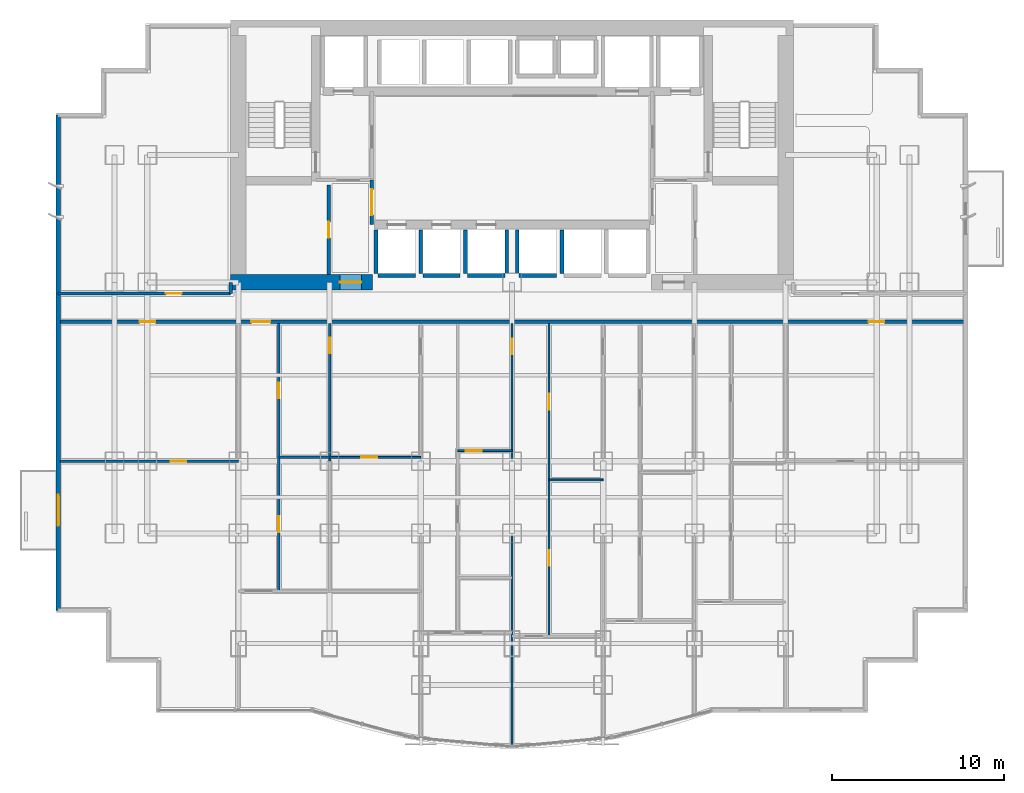
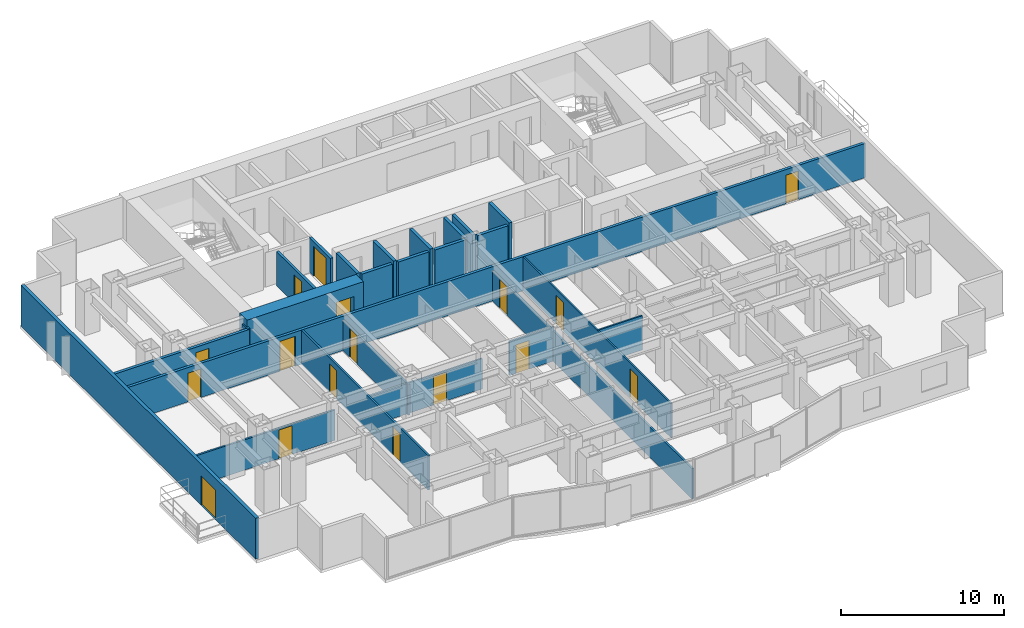
# One storey, part 5 of 10: 26 walls, 17 doors, 17 openings.
"""IFC4 building model written with IfcOpenShell, lengths in metres."""

import ifcopenshell
import ifcopenshell.guid

model = None  # the IFC model being written
_history = None  # IfcOwnerHistory: only IFC2X3 demands one
_inside = {}  # id of a spatial element -> (the spatial element, [elements in it])
_under = {}  # id of a project, library or spatial element -> (it, [spatial elements below it])
_declared = {}  # id of a project -> (the project, [libraries it declares])
_typed = {}  # id of a type object -> (the type object, [elements of that type])
_made_of = {}  # id of a material, layer set ... -> (it, [elements and type objects made of it])


def new_model(schema):
    """Start an empty IFC model of exactly this schema.

    Asked for "IFC4X3", IfcOpenShell would pick the latest addendum, in which some entities
    have other attributes; the version numbers below select the first issue.
    IFC2X3 requires an IfcOwnerHistory on every rooted entity: one is made here for all.
    """
    global model, _history
    if schema == "IFC4X3":
        model = ifcopenshell.file(schema_version=(4, 3, 0, 0))
    else:
        model = ifcopenshell.file(schema=schema)
    _inside.clear()
    _under.clear()
    _declared.clear()
    _typed.clear()
    _made_of.clear()
    _history = None
    if model.schema == "IFC2X3":
        org = make("IfcOrganization", Name="unknown")
        user = make(
            "IfcPersonAndOrganization",
            ThePerson=make("IfcPerson", FamilyName="unknown"),
            TheOrganization=org,
        )
        app = make(
            "IfcApplication",
            ApplicationDeveloper=org,
            Version="unknown",
            ApplicationFullName="unknown",
            ApplicationIdentifier="unknown",
        )
        _history = make(
            "IfcOwnerHistory",
            OwningUser=user,
            OwningApplication=app,
            ChangeAction="ADDED",
            CreationDate=0,
        )
    return model


def make(cls, **values):
    """One entity of the class cls with the attributes given. An attribute that is None is left unset."""
    return model.create_entity(
        cls, **{name: value for name, value in values.items() if value is not None}
    )


def rooted(cls, **values):
    """An entity with a GlobalId (a new one), such as an element, a storey or a relation."""
    return make(cls, GlobalId=ifcopenshell.guid.new(), OwnerHistory=_history, **values)


def si_unit(unit_type, name, prefix=None):
    """IfcSIUnit, for example si_unit("LENGTHUNIT", "METRE", prefix="MILLI")."""
    return make("IfcSIUnit", UnitType=unit_type, Prefix=prefix, Name=name)


def assignment(units):
    """IfcUnitAssignment: the units of a project."""
    return None if units is None else make("IfcUnitAssignment", Units=units)


def point(xyz):
    """IfcCartesianPoint."""
    return None if xyz is None else make("IfcCartesianPoint", Coordinates=xyz)


def direction(xyz):
    """IfcDirection."""
    return None if xyz is None else make("IfcDirection", DirectionRatios=xyz)


def frame(location, z_axis=None, x_axis=None):
    """IfcAxis2Placement3D, a coordinate frame: its origin and axes. An axis left out is left unset."""
    return make(
        "IfcAxis2Placement3D",
        Location=point(location),
        Axis=direction(z_axis),
        RefDirection=direction(x_axis),
    )


def frame_2d(location, x_axis=None):
    """IfcAxis2Placement2D, a coordinate frame in the plane: its origin and x axis."""
    return make(
        "IfcAxis2Placement2D", Location=point(location), RefDirection=direction(x_axis)
    )


def origin():
    """The frame at (0, 0, 0) with its axes left unset."""
    return frame((0.0, 0.0, 0.0))


def place(relative_to, where):
    """IfcLocalPlacement: puts the frame where relative to a parent placement (None: the world)."""
    return make(
        "IfcLocalPlacement", PlacementRelTo=relative_to, RelativePlacement=where
    )


def context(
    kind, dimensions, precision=None, world=None, true_north=None, identifier=None
):
    """IfcGeometricRepresentationContext, for example the 3D "Model" context."""
    return make(
        "IfcGeometricRepresentationContext",
        ContextIdentifier=identifier,
        ContextType=kind,
        CoordinateSpaceDimension=dimensions,
        Precision=precision,
        WorldCoordinateSystem=world,
        TrueNorth=true_north,
    )


def subcontext(parent, identifier, kind, view, scale=None):
    """IfcGeometricRepresentationSubContext, for example "Body" below "Model"."""
    return make(
        "IfcGeometricRepresentationSubContext",
        ContextIdentifier=identifier,
        ContextType=kind,
        ParentContext=parent,
        TargetScale=scale,
        TargetView=view,
    )


def project(units=None, contexts=None):
    """IfcProject with its units and contexts."""
    return rooted(
        "IfcProject",
        Name="project",
        RepresentationContexts=contexts,
        UnitsInContext=assignment(units),
    )


def spatial(cls, under=None, at=None, **own):
    """A site, building, storey or space (cls), placed at a placement, below another one or the project."""
    s = rooted(cls, ObjectPlacement=at, **own)
    if under is not None:
        _under.setdefault(under.id(), (under, []))[1].append(s)
    return s


def profile(cls, at=None, kind="AREA", **sizes):
    """A parametric profile (cls). Its sizes go by their IFC names, for example OverallWidth=200.0."""
    return make(cls, ProfileType=kind, Position=at, **sizes)


def rectangle(**sizes):
    """IfcRectangleProfileDef."""
    return profile("IfcRectangleProfileDef", **sizes)


def extrude(swept, where, along, depth):
    """IfcExtrudedAreaSolid: the profile swept, set in the frame where, extruded along a direction by depth."""
    return make(
        "IfcExtrudedAreaSolid",
        SweptArea=swept,
        Position=where,
        ExtrudedDirection=direction(along),
        Depth=depth,
    )


def shape(context_of_items, identifier, shape_type, items):
    """IfcShapeRepresentation: the items that make up one representation, for example the "Body"."""
    return make(
        "IfcShapeRepresentation",
        ContextOfItems=context_of_items,
        RepresentationIdentifier=identifier,
        RepresentationType=shape_type,
        Items=items,
    )


def material(Name=None, Category=None):
    """IfcMaterial."""
    return make("IfcMaterial", Name=Name, Category=Category)


def layer(
    of_material, thickness, ventilated=None, Name=None, Category=None, Priority=None
):
    """IfcMaterialLayer: one layer of a wall or slab, of a material (None: an air gap)."""
    return make(
        "IfcMaterialLayer",
        Material=of_material,
        LayerThickness=thickness,
        IsVentilated=ventilated,
        Name=Name,
        Category=Category,
        Priority=Priority,
    )


def layer_set(layers, Name=None):
    """IfcMaterialLayerSet."""
    return make("IfcMaterialLayerSet", MaterialLayers=layers, LayerSetName=Name)


def made_of(thing, what):
    """Note that an element or type object is made of a material, layer set ...; save() writes the relation."""
    if what is not None:
        _made_of.setdefault(what.id(), (what, []))[1].append(thing)
    return thing


def type_object(cls, material=None, **own):
    """A type object (cls), such as IfcWallType, which elements share."""
    return made_of(rooted(cls, **own), material)


def element(
    cls,
    number,
    at=None,
    inside=None,
    cuts=None,
    type_object=None,
    material=None,
    context=None,
    identifier="Body",
    shape_type=None,
    held_by="IfcProductDefinitionShape",
    body=None,
    shapes=None,
    **own,
):
    """One element of the class cls, such as IfcWall. Its Tag is "e" and its number.

    at: its placement. inside: the storey or other place that contains it. cuts: it is an
    opening in that element (IfcRelVoidsElement). A single representation is given by context,
    identifier, shape_type and body (its items); several are given by shapes. held_by: the class
    of the entity that holds the representations. save() writes the other relations.
    """
    e = rooted(cls, Tag="e%d" % number, ObjectPlacement=at, **own)
    if body is not None:
        shapes = [shape(context, identifier, shape_type, body)]
    if shapes is not None:
        e.Representation = make(held_by, Representations=shapes)
    if inside is not None:
        _inside.setdefault(inside.id(), (inside, []))[1].append(e)
    if cuts is not None:
        rooted(
            "IfcRelVoidsElement", RelatingBuildingElement=cuts, RelatedOpeningElement=e
        )
    if type_object is not None:
        _typed.setdefault(type_object.id(), (type_object, []))[1].append(e)
    return made_of(e, material)


def fill(opening, filler):
    """IfcRelFillsElement: the door or window that sits in an opening."""
    return rooted(
        "IfcRelFillsElement",
        RelatingOpeningElement=opening,
        RelatedBuildingElement=filler,
    )


def aggregate(whole, parts):
    """IfcRelAggregates: a whole, such as a stair, and the parts it consists of."""
    return rooted("IfcRelAggregates", RelatingObject=whole, RelatedObjects=parts)


def save(model, path):
    """Write the relations noted so far, then the file.

    IfcRelAggregates (storeys below a building ...), IfcRelContainedInSpatialStructure (elements
    in a storey), IfcRelDefinesByType, IfcRelAssociatesMaterial and IfcRelDeclares: one each for
    every whole, place, type object, material and project.
    """
    for whole, parts in _under.values():
        aggregate(whole, parts)
    for where, things in _inside.values():
        rooted(
            "IfcRelContainedInSpatialStructure",
            RelatedElements=things,
            RelatingStructure=where,
        )
    for kind, things in _typed.values():
        rooted("IfcRelDefinesByType", RelatedObjects=things, RelatingType=kind)
    for what, things in _made_of.values():
        rooted("IfcRelAssociatesMaterial", RelatedObjects=things, RelatingMaterial=what)
    for by, libraries in _declared.values():
        rooted("IfcRelDeclares", RelatingContext=by, RelatedDefinitions=libraries)
    model.write(path)


model = new_model("IFC4")

# Units and contexts
model_context = context("Model", 3, precision=1e-05, world=origin(), true_north=direction((0.0, 1.0)))
body_context = subcontext(model_context, "Body", "Model", "MODEL_VIEW")
ifc_project = project(units=[si_unit("LENGTHUNIT", "METRE"), si_unit("AREAUNIT", "SQUARE_METRE"), si_unit("VOLUMEUNIT", "CUBIC_METRE"), si_unit("PLANEANGLEUNIT", "RADIAN"), si_unit("MASSUNIT", "GRAM", prefix="KILO")], contexts=[model_context])

# Site, building, storey
site_placement = place(None, origin())
site = spatial("IfcSite", under=ifc_project, at=site_placement, CompositionType="ELEMENT")
building_placement = place(site_placement, origin())
building = spatial("IfcBuilding", under=site, at=building_placement, Name="Qianlan Lanfeng Residences", CompositionType="ELEMENT")
storey_placement = place(building_placement, frame((0.0, 0.0, 57.199951171875)))
storey = spatial("IfcBuildingStorey", under=building, at=storey_placement, Name="L15", CompositionType="ELEMENT", Elevation=57.199951171875)

# Wall, opening, door
ifc_material_1 = material(Name="Concrete C70", Category="concrete")
ifc_layer_1 = layer(ifc_material_1, 0.89990234375)
ifc_layer_set_1 = layer_set([ifc_layer_1], Name="Concrete C70")
wall_type_1 = type_object("IfcWallType", Name="CW-RC-900", PredefinedType="SHEAR", material=ifc_layer_set_1)
wall_1_placement = place(storey_placement, frame((10.14990234375, 25.199951171875, 0.0), z_axis=(0.0, 0.0, 1.0), x_axis=(1.0, 0.0, 0.0)))
wall_1 = element("IfcWall", 1, at=wall_1_placement, inside=storey, type_object=wall_type_1, Name="L15 Core Shear Wall SW", PredefinedType="SHEAR", context=body_context, shape_type="SweptSolid", body=[
    extrude(rectangle(XDim=8.25, YDim=0.89990234375, at=frame_2d((4.125, 0.0))), origin(), (0.0, 0.0, 1.0), 3.080078125),
])
opening_1_placement = place(wall_1_placement, frame((6.35009765625, 0.0, 0.0)))
opening_1 = element("IfcOpeningElement", 2, at=opening_1_placement, cuts=wall_1, Name="Opening L15-D01", PredefinedType="OPENING", context=body_context, shape_type="SweptSolid", body=[
    extrude(rectangle(XDim=1.25, YDim=2.199951171875, at=frame_2d((0.625, 1.10009765625))), frame((0.0, 0.4599609375, 0.0), z_axis=(0.0, -1.0, 0.0), x_axis=(1.0, 0.0, 0.0)), (0.0, 0.0, 1.0), 0.919921875),
])
ifc_material_2 = material(Name="Painted Galvanised Steel Fire Door", Category="steel")
door_type_1 = type_object("IfcDoorType", Name="DT-FFL", OperationType="NOTDEFINED", PredefinedType="DOOR", material=ifc_material_2)
door_1_placement = place(opening_1_placement, frame((1.25, 0.0, 0.0), z_axis=(0.0, 0.0, 1.0), x_axis=(-1.0, 0.0, 0.0)))
door_1 = element("IfcDoor", 3, at=door_1_placement, inside=storey, type_object=door_type_1, Name="L15 West Core Lobby Smoke Door L15-D01 (DT-FFL)", OperationType="SINGLE_SWING_RIGHT", OverallHeight=2.199951171875, OverallWidth=1.25, PredefinedType="DOOR", context=body_context, shape_type="SweptSolid", body=[
    extrude(rectangle(XDim=1.25, YDim=2.199951171875, at=frame_2d((0.625, 1.10009765625))), frame((0.0, 0.02490234375, 0.0), z_axis=(0.0, -1.0, 0.0), x_axis=(1.0, 0.0, 0.0)), (0.0, 0.0, 1.0), 0.050048828125),
])
fill(opening_1, door_1)

ifc_material_3 = material(Name="Concrete C42", Category="concrete")
ifc_layer_2 = layer(ifc_material_3, 0.239990234375)
ifc_layer_set_2 = layer_set([ifc_layer_2], Name="Concrete C42")
wall_type_2 = type_object("IfcWallType", Name="EW-240", PredefinedType="SOLIDWALL", material=ifc_layer_set_2)
wall_2_placement = place(storey_placement, frame((0.1201171875, 34.929931640625, 0.0), z_axis=(0.0, 0.0, 1.0), x_axis=(0.0, -1.0, 0.0)))
wall_2 = element("IfcWall", 4, at=wall_2_placement, inside=storey, type_object=wall_type_2, Name="L15 Terrace/Balcony Access Exterior Wall 21", PredefinedType="SOLIDWALL", context=body_context, shape_type="SweptSolid", body=[
    extrude(rectangle(XDim=28.809814453125, YDim=0.239990234375, at=frame_2d((14.40478515625, 0.0))), origin(), (0.0, 0.0, 1.0), 3.080078125),
])
opening_2_placement = place(wall_2_placement, frame((22.080078125, 0.0, 0.0)))
opening_2 = element("IfcOpeningElement", 5, at=opening_2_placement, cuts=wall_2, Name="Opening L15-D-WB-S", PredefinedType="OPENING", context=body_context, shape_type="SweptSolid", body=[
    extrude(rectangle(XDim=1.800048828125, YDim=2.199951171875, at=frame_2d((0.89990234375, 1.10009765625))), frame((0.0, 0.1298828125, 0.0), z_axis=(0.0, -1.0, 0.0), x_axis=(1.0, 0.0, 0.0)), (0.0, 0.0, 1.0), 0.260009765625),
])
ifc_material_4 = material(Name="Anodised Bronze Aluminium Framed Glass", Category="aluminium")
door_type_2 = type_object("IfcDoorType", Name="DT-BAL1", OperationType="NOTDEFINED", PredefinedType="DOOR", material=ifc_material_4)
door_2_placement = place(opening_2_placement, frame((1.800048828125, 0.0, 0.0), z_axis=(0.0, 0.0, 1.0), x_axis=(-1.0, 0.0, 0.0)))
door_2 = element("IfcDoor", 6, at=door_2_placement, inside=storey, type_object=door_type_2, Name="L15 Exterior Access Door WB-S", OperationType="DOUBLE_DOOR_SLIDING", OverallHeight=2.199951171875, OverallWidth=1.800048828125, PredefinedType="DOOR", context=body_context, shape_type="SweptSolid", body=[
    extrude(rectangle(XDim=1.800048828125, YDim=2.199951171875, at=frame_2d((0.89990234375, 1.10009765625))), frame((0.0, 0.02490234375, 0.0), z_axis=(0.0, -1.0, 0.0), x_axis=(1.0, 0.0, 0.0)), (0.0, 0.0, 1.0), 0.050048828125),
])
fill(opening_2, door_2)

ifc_material_5 = material(Name="Demountable Acoustic Framing Partition 110 mm")
ifc_layer_3 = layer(ifc_material_5, 0.110107421875)
ifc_layer_set_3 = layer_set([ifc_layer_3], Name="Demountable Acoustic Framing Partition 110 mm")
wall_type_3 = type_object("IfcWallType", Name="PW-110", PredefinedType="MOVABLE", material=ifc_layer_set_3)
wall_3_placement = place(storey_placement, frame((15.89990234375, 15.02392578125, 0.0), z_axis=(0.0, 0.0, 1.0), x_axis=(1.0, 0.0, 0.0)))
wall_3 = element("IfcWall", 7, at=wall_3_placement, inside=storey, type_object=wall_type_3, Name="L15 U01 Study Split", PredefinedType="MOVABLE", context=body_context, shape_type="SweptSolid", body=[
    extrude(rectangle(XDim=5.300048828125, YDim=0.110107421875, at=frame_2d((2.64990234375, 0.0))), origin(), (0.0, 0.0, 1.0), 2.275146484375),
])
opening_3_placement = place(wall_3_placement, frame((1.840087890625, 0.0, 0.0)))
opening_3 = element("IfcOpeningElement", 8, at=opening_3_placement, cuts=wall_3, Name="Opening L15-D22", PredefinedType="OPENING", context=body_context, shape_type="SweptSolid", body=[
    extrude(rectangle(XDim=0.919921875, YDim=2.14990234375, at=frame_2d((0.4599609375, 1.074951171875))), frame((0.0, 0.06494140625, 0.0), z_axis=(0.0, -1.0, 0.0), x_axis=(1.0, 0.0, 0.0)), (0.0, 0.0, 1.0), 0.130126953125),
])
ifc_material_6 = material(Name="Glazed Timber Kitchen/Study Door", Category="wood")
door_type_3 = type_object("IfcDoorType", Name="DT-INT", OperationType="NOTDEFINED", PredefinedType="DOOR", material=ifc_material_6)
door_3_placement = place(opening_3_placement, origin())
door_3 = element("IfcDoor", 9, at=door_3_placement, inside=storey, type_object=door_type_3, Name="L15 U01 Study Inner Door L15-D22 (DT-INT)", OperationType="SINGLE_SWING_LEFT", OverallHeight=2.14990234375, OverallWidth=0.919921875, PredefinedType="DOOR", context=body_context, shape_type="SweptSolid", body=[
    extrude(rectangle(XDim=0.919921875, YDim=2.14990234375, at=frame_2d((0.4599609375, 1.074951171875))), frame((0.0, 0.02490234375, 0.0), z_axis=(0.0, -1.0, 0.0), x_axis=(1.0, 0.0, 0.0)), (0.0, 0.0, 1.0), 0.050048828125),
])
fill(opening_3, door_3)

wall_4_placement = place(storey_placement, frame((23.35009765625, 15.4169921875, 0.0), z_axis=(0.0, 0.0, 1.0), x_axis=(1.0, 0.0, 0.0)))
wall_4 = element("IfcWall", 10, at=wall_4_placement, inside=storey, type_object=wall_type_3, Name="L15 U01 Wardrobe Split", PredefinedType="MOVABLE", context=body_context, shape_type="SweptSolid", body=[
    extrude(rectangle(XDim=3.14990234375, YDim=0.110107421875, at=frame_2d((1.574951171875, 0.0))), origin(), (0.0, 0.0, 1.0), 2.570068359375),
])
opening_4_placement = place(wall_4_placement, frame((0.465087890625, 0.0, 0.0)))
opening_4 = element("IfcOpeningElement", 11, at=opening_4_placement, cuts=wall_4, Name="Opening L15-D26", PredefinedType="OPENING", context=body_context, shape_type="SweptSolid", body=[
    extrude(rectangle(XDim=0.919921875, YDim=2.14990234375, at=frame_2d((0.4599609375, 1.074951171875))), frame((0.0, 0.06494140625, 0.0), z_axis=(0.0, -1.0, 0.0), x_axis=(1.0, 0.0, 0.0)), (0.0, 0.0, 1.0), 0.130126953125),
])
door_4_placement = place(opening_4_placement, origin())
door_4 = element("IfcDoor", 12, at=door_4_placement, inside=storey, type_object=door_type_3, Name="L15 U01 Dressing Inner Door L15-D26 (DT-INT)", OperationType="SINGLE_SWING_RIGHT", OverallHeight=2.14990234375, OverallWidth=0.919921875, PredefinedType="DOOR", context=body_context, shape_type="SweptSolid", body=[
    extrude(rectangle(XDim=0.919921875, YDim=2.14990234375, at=frame_2d((0.4599609375, 1.074951171875))), frame((0.0, 0.02490234375, 0.0), z_axis=(0.0, -1.0, 0.0), x_axis=(1.0, 0.0, 0.0)), (0.0, 0.0, 1.0), 0.050048828125),
])
fill(opening_4, door_4)

# Wall, openings, doors
wall_5_placement = place(storey_placement, frame((28.64990234375, 4.634033203125, 0.0), z_axis=(0.0, 0.0, 1.0), x_axis=(0.0, 1.0, 0.0)))
wall_5 = element("IfcWall", 13, at=wall_5_placement, inside=storey, type_object=wall_type_3, Name="L15 U01 Bedroom 3 Hall Wall", PredefinedType="MOVABLE", context=body_context, shape_type="SweptSolid", body=[
    extrude(rectangle(XDim=18.166015625, YDim=0.110107421875, at=frame_2d((9.0830078125, 0.0))), origin(), (0.0, 0.0, 1.0), 2.570068359375),
])
opening_5_placement = place(wall_5_placement, frame((4.08203125, 0.0, 0.0)))
opening_5 = element("IfcOpeningElement", 14, at=opening_5_placement, cuts=wall_5, Name="Opening L15-D28", PredefinedType="OPENING", context=body_context, shape_type="SweptSolid", body=[
    extrude(rectangle(XDim=0.919921875, YDim=2.14990234375, at=frame_2d((0.4599609375, 1.074951171875))), frame((0.0, 0.06494140625, 0.0), z_axis=(0.0, -1.0, 0.0), x_axis=(1.0, 0.0, 0.0)), (0.0, 0.0, 1.0), 0.130126953125),
])
opening_6_placement = place(wall_5_placement, frame((13.1650390625, 0.0, 0.0)))
opening_6 = element("IfcOpeningElement", 15, at=opening_6_placement, cuts=wall_5, Name="Opening L15-D29", PredefinedType="OPENING", context=body_context, shape_type="SweptSolid", body=[
    extrude(rectangle(XDim=0.919921875, YDim=2.14990234375, at=frame_2d((0.4599609375, 1.074951171875))), frame((0.0, 0.06494140625, 0.0), z_axis=(0.0, -1.0, 0.0), x_axis=(1.0, 0.0, 0.0)), (0.0, 0.0, 1.0), 0.130126953125),
])
door_5_placement = place(opening_5_placement, origin())
door_5 = element("IfcDoor", 16, at=door_5_placement, inside=storey, type_object=door_type_3, Name="L15 U01 Utility Door L15-D28 (DT-INT)", OperationType="SINGLE_SWING_LEFT", OverallHeight=2.14990234375, OverallWidth=0.919921875, PredefinedType="DOOR", context=body_context, shape_type="SweptSolid", body=[
    extrude(rectangle(XDim=0.919921875, YDim=2.14990234375, at=frame_2d((0.4599609375, 1.074951171875))), frame((0.0, 0.02490234375, 0.0), z_axis=(0.0, -1.0, 0.0), x_axis=(1.0, 0.0, 0.0)), (0.0, 0.0, 1.0), 0.050048828125),
])
fill(opening_5, door_5)
door_6_placement = place(opening_6_placement, origin())
door_6 = element("IfcDoor", 17, at=door_6_placement, inside=storey, type_object=door_type_3, Name="L15 U01 Specialty Door L15-D29 (DT-INT)", OperationType="SINGLE_SWING_RIGHT", OverallHeight=2.14990234375, OverallWidth=0.919921875, PredefinedType="DOOR", context=body_context, shape_type="SweptSolid", body=[
    extrude(rectangle(XDim=0.919921875, YDim=2.14990234375, at=frame_2d((0.4599609375, 1.074951171875))), frame((0.0, 0.02490234375, 0.0), z_axis=(0.0, -1.0, 0.0), x_axis=(1.0, 0.0, 0.0)), (0.0, 0.0, 1.0), 0.050048828125),
])
fill(opening_6, door_6)

# Wall
wall_6_placement = place(storey_placement, frame((28.64990234375, 13.717041015625, 0.0), z_axis=(0.0, 0.0, 1.0), x_axis=(1.0, 0.0, 0.0)))
element("IfcWall", 18, at=wall_6_placement, inside=storey, type_object=wall_type_3, Name="L15 U01 Specialty Split Wall", PredefinedType="MOVABLE", context=body_context, shape_type="SweptSolid", body=[
    extrude(rectangle(XDim=3.150146484375, YDim=0.110107421875, at=frame_2d((1.5751953125, 0.0))), origin(), (0.0, 0.0, 1.0), 2.570068359375),
])

# Wall, opening, door
ifc_material_7 = material(Name="Moisture-Resistant Gypsum Partition 135 mm")
ifc_layer_4 = layer(ifc_material_7, 0.135009765625)
ifc_layer_set_4 = layer_set([ifc_layer_4], Name="Moisture-Resistant Gypsum Partition 135 mm")
wall_type_4 = type_object("IfcWallType", Name="PW-135", PredefinedType="PARTITIONING", material=ifc_layer_set_4)
wall_7_placement = place(storey_placement, frame((15.89990234375, 14.800048828125, 0.0), z_axis=(0.0, 0.0, 1.0), x_axis=(0.0, 1.0, 0.0)))
wall_7 = element("IfcWall", 19, at=wall_7_placement, inside=storey, type_object=wall_type_4, Name="L15 U01 North Spine Wall", PredefinedType="PARTITIONING", context=body_context, shape_type="SweptSolid", body=[
    extrude(rectangle(XDim=8.0, YDim=0.135009765625, at=frame_2d((4.0, 0.0))), origin(), (0.0, 0.0, 1.0), 2.275146484375),
])
opening_7_placement = place(wall_7_placement, frame((6.264892578125, 0.0, 0.0)))
opening_7 = element("IfcOpeningElement", 20, at=opening_7_placement, cuts=wall_7, Name="Opening L15-D14", PredefinedType="OPENING", context=body_context, shape_type="SweptSolid", body=[
    extrude(rectangle(XDim=0.919921875, YDim=2.14990234375, at=frame_2d((0.4599609375, 1.074951171875))), frame((0.0, 0.07763671875, 0.0), z_axis=(0.0, -1.0, 0.0), x_axis=(1.0, 0.0, 0.0)), (0.0, 0.0, 1.0), 0.155029296875),
])
door_7_placement = place(opening_7_placement, origin())
door_7 = element("IfcDoor", 21, at=door_7_placement, inside=storey, type_object=door_type_3, Name="L15 U01 North Suite Door L15-D14 (DT-INT)", OperationType="SINGLE_SWING_LEFT", OverallHeight=2.14990234375, OverallWidth=0.919921875, PredefinedType="DOOR", context=body_context, shape_type="SweptSolid", body=[
    extrude(rectangle(XDim=0.919921875, YDim=2.14990234375, at=frame_2d((0.4599609375, 1.074951171875))), frame((0.0, 0.02490234375, 0.0), z_axis=(0.0, -1.0, 0.0), x_axis=(1.0, 0.0, 0.0)), (0.0, 0.0, 1.0), 0.050048828125),
])
fill(opening_7, door_7)

wall_8_placement = place(storey_placement, frame((26.5, -1.679931640625, 0.0), z_axis=(0.0, 0.0, 1.0), x_axis=(0.0, 1.0, 0.0)))
wall_8 = element("IfcWall", 22, at=wall_8_placement, inside=storey, type_object=wall_type_4, Name="L15 U01 Bay Spine Wall 3", PredefinedType="PARTITIONING", context=body_context, shape_type="SweptSolid", body=[
    extrude(rectangle(XDim=24.47998046875, YDim=0.135009765625, at=frame_2d((12.239990234375, 0.0))), origin(), (0.0, 0.0, 1.0), 2.275146484375),
])
opening_8_placement = place(wall_8_placement, frame((22.695068359375, 0.0, 0.0)))
opening_8 = element("IfcOpeningElement", 23, at=opening_8_placement, cuts=wall_8, Name="Opening L15-D16", PredefinedType="OPENING", context=body_context, shape_type="SweptSolid", body=[
    extrude(rectangle(XDim=0.919921875, YDim=2.14990234375, at=frame_2d((0.4599609375, 1.074951171875))), frame((0.0, 0.07763671875, 0.0), z_axis=(0.0, -1.0, 0.0), x_axis=(1.0, 0.0, 0.0)), (0.0, 0.0, 1.0), 0.155029296875),
])
door_8_placement = place(opening_8_placement, origin())
door_8 = element("IfcDoor", 24, at=door_8_placement, inside=storey, type_object=door_type_3, Name="L15 U01 Internal Hall Door L15-D16 (DT-INT)", OperationType="SINGLE_SWING_LEFT", OverallHeight=2.14990234375, OverallWidth=0.919921875, PredefinedType="DOOR", context=body_context, shape_type="SweptSolid", body=[
    extrude(rectangle(XDim=0.919921875, YDim=2.14990234375, at=frame_2d((0.4599609375, 1.074951171875))), frame((0.0, 0.02490234375, 0.0), z_axis=(0.0, -1.0, 0.0), x_axis=(1.0, 0.0, 0.0)), (0.0, 0.0, 1.0), 0.050048828125),
])
fill(opening_8, door_8)

# Wall, openings, doors
wall_9_placement = place(storey_placement, frame((12.949951171875, 7.2470703125, 0.0), z_axis=(0.0, 0.0, 1.0), x_axis=(0.0, 1.0, 0.0)))
wall_9 = element("IfcWall", 25, at=wall_9_placement, inside=storey, type_object=wall_type_4, Name="L15 U01 Kitchen/Bath Wall", PredefinedType="PARTITIONING", context=body_context, shape_type="SweptSolid", body=[
    extrude(rectangle(XDim=15.552978515625, YDim=0.135009765625, at=frame_2d((7.7763671875, 0.0))), origin(), (0.0, 0.0, 1.0), 2.570068359375),
])
opening_9_placement = place(wall_9_placement, frame((3.428955078125, 0.0, 0.0)))
opening_9 = element("IfcOpeningElement", 26, at=opening_9_placement, cuts=wall_9, Name="Opening L15-D20", PredefinedType="OPENING", context=body_context, shape_type="SweptSolid", body=[
    extrude(rectangle(XDim=0.919921875, YDim=2.14990234375, at=frame_2d((0.4599609375, 1.074951171875))), frame((0.0, 0.07763671875, 0.0), z_axis=(0.0, -1.0, 0.0), x_axis=(1.0, 0.0, 0.0)), (0.0, 0.0, 1.0), 0.155029296875),
])
opening_10_placement = place(wall_9_placement, frame((11.215087890625, 0.0, 0.0)))
opening_10 = element("IfcOpeningElement", 27, at=opening_10_placement, cuts=wall_9, Name="Opening L15-D21", PredefinedType="OPENING", context=body_context, shape_type="SweptSolid", body=[
    extrude(rectangle(XDim=0.89990234375, YDim=2.14990234375, at=frame_2d((0.449951171875, 1.074951171875))), frame((0.0, 0.07763671875, 0.0), z_axis=(0.0, -1.0, 0.0), x_axis=(1.0, 0.0, 0.0)), (0.0, 0.0, 1.0), 0.155029296875),
])
door_9_placement = place(opening_9_placement, origin())
door_9 = element("IfcDoor", 28, at=door_9_placement, inside=storey, type_object=door_type_3, Name="L15 U01 Kitchen Door L15-D20 (DT-INT)", OperationType="SINGLE_SWING_LEFT", OverallHeight=2.14990234375, OverallWidth=0.919921875, PredefinedType="DOOR", context=body_context, shape_type="SweptSolid", body=[
    extrude(rectangle(XDim=0.919921875, YDim=2.14990234375, at=frame_2d((0.4599609375, 1.074951171875))), frame((0.0, 0.02490234375, 0.0), z_axis=(0.0, -1.0, 0.0), x_axis=(1.0, 0.0, 0.0)), (0.0, 0.0, 1.0), 0.050048828125),
])
fill(opening_9, door_9)
ifc_material_8 = material(Name="Moisture-Resistant Timber Leaf", Category="wood")
door_type_4 = type_object("IfcDoorType", Name="DT-WC", OperationType="NOTDEFINED", PredefinedType="DOOR", material=ifc_material_8)
door_10_placement = place(opening_10_placement, origin())
door_10 = element("IfcDoor", 29, at=door_10_placement, inside=storey, type_object=door_type_4, Name="L15 U01 Bathroom Door L15-D21 (DT-WC)", OperationType="SINGLE_SWING_RIGHT", OverallHeight=2.14990234375, OverallWidth=0.89990234375, PredefinedType="DOOR", context=body_context, shape_type="SweptSolid", body=[
    extrude(rectangle(XDim=0.89990234375, YDim=2.14990234375, at=frame_2d((0.449951171875, 1.074951171875))), frame((0.0, 0.02490234375, 0.0), z_axis=(0.0, -1.0, 0.0), x_axis=(1.0, 0.0, 0.0)), (0.0, 0.0, 1.0), 0.050048828125),
])
fill(opening_10, door_10)

# Wall
wall_10_placement = place(storey_placement, frame((12.949951171875, 15.02392578125, 0.0), z_axis=(0.0, 0.0, 1.0), x_axis=(1.0, 0.0, 0.0)))
element("IfcWall", 30, at=wall_10_placement, inside=storey, type_object=wall_type_4, Name="L15 U01 Bath Split Wall", PredefinedType="PARTITIONING", context=body_context, shape_type="SweptSolid", body=[
    extrude(rectangle(XDim=2.949951171875, YDim=0.135009765625, at=frame_2d((1.47509765625, 0.0))), origin(), (0.0, 0.0, 1.0), 2.275146484375),
])

# Wall, opening, door
wall_11_placement = place(storey_placement, frame((0.219970703125, 14.800048828125, 0.0), z_axis=(0.0, 0.0, 1.0), x_axis=(1.0, 0.0, 0.0)))
wall_11 = element("IfcWall", 31, at=wall_11_placement, inside=storey, type_object=wall_type_4, Name="L15 SWP Mid Partition", PredefinedType="PARTITIONING", context=body_context, shape_type="SweptSolid", body=[
    extrude(rectangle(XDim=10.380126953125, YDim=0.135009765625, at=frame_2d((5.18994140625, 0.0))), origin(), (0.0, 0.0, 1.0), 2.275146484375),
])
opening_11_placement = place(wall_11_placement, frame((6.429931640625, 0.0, 0.0)))
opening_11 = element("IfcOpeningElement", 32, at=opening_11_placement, cuts=wall_11, Name="Opening L15-D36", PredefinedType="OPENING", context=body_context, shape_type="SweptSolid", body=[
    extrude(rectangle(XDim=0.919921875, YDim=2.14990234375, at=frame_2d((0.4599609375, 1.074951171875))), frame((0.0, 0.07763671875, 0.0), z_axis=(0.0, -1.0, 0.0), x_axis=(1.0, 0.0, 0.0)), (0.0, 0.0, 1.0), 0.155029296875),
])
door_11_placement = place(opening_11_placement, origin())
door_11 = element("IfcDoor", 33, at=door_11_placement, inside=storey, type_object=door_type_3, Name="L15 SWP Inner Door L15-D36 (DT-INT)", OperationType="SINGLE_SWING_LEFT", OverallHeight=2.14990234375, OverallWidth=0.919921875, PredefinedType="DOOR", context=body_context, shape_type="SweptSolid", body=[
    extrude(rectangle(XDim=0.919921875, YDim=2.14990234375, at=frame_2d((0.4599609375, 1.074951171875))), frame((0.0, 0.02490234375, 0.0), z_axis=(0.0, -1.0, 0.0), x_axis=(1.0, 0.0, 0.0)), (0.0, 0.0, 1.0), 0.050048828125),
])
fill(opening_11, door_11)

ifc_material_9 = material(Name="Double-Layer Acoustic Gypsum Stud Wall 180 mm")
ifc_layer_5 = layer(ifc_material_9, 0.179931640625)
ifc_layer_set_5 = layer_set([ifc_layer_5], Name="Double-Layer Acoustic Gypsum Stud Wall 180 mm")
wall_type_5 = type_object("IfcWallType", Name="PW-180", PredefinedType="PARTITIONING", material=ifc_layer_set_5)
wall_12_placement = place(storey_placement, frame((15.85009765625, 25.64990234375, 0.0), z_axis=(0.0, 0.0, 1.0), x_axis=(0.0, 1.0, 0.0)))
wall_12 = element("IfcWall", 34, at=wall_12_placement, inside=storey, type_object=wall_type_5, Name="L15 Core West Service Room Wall", PredefinedType="PARTITIONING", context=body_context, shape_type="SweptSolid", body=[
    extrude(rectangle(XDim=5.2001953125, YDim=0.179931640625, at=frame_2d((2.60009765625, 0.0))), origin(), (0.0, 0.0, 1.0), 2.570068359375),
])
opening_12_placement = place(wall_12_placement, frame((2.139892578125, 0.0, 0.0)))
opening_12 = element("IfcOpeningElement", 35, at=opening_12_placement, cuts=wall_12, Name="Opening L15-D09", PredefinedType="OPENING", context=body_context, shape_type="SweptSolid", body=[
    extrude(rectangle(XDim=0.919921875, YDim=2.14990234375, at=frame_2d((0.4599609375, 1.074951171875))), frame((0.0, 0.10009765625, 0.0), z_axis=(0.0, -1.0, 0.0), x_axis=(1.0, 0.0, 0.0)), (0.0, 0.0, 1.0), 0.199951171875),
])
door_12_placement = place(opening_12_placement, origin())
door_12 = element("IfcDoor", 36, at=door_12_placement, inside=storey, type_object=door_type_3, Name="L15 Core Storage Door L15-D09 (DT-INT)", OperationType="SINGLE_SWING_RIGHT", OverallHeight=2.14990234375, OverallWidth=0.919921875, PredefinedType="DOOR", context=body_context, shape_type="SweptSolid", body=[
    extrude(rectangle(XDim=0.919921875, YDim=2.14990234375, at=frame_2d((0.4599609375, 1.074951171875))), frame((0.0, 0.02490234375, 0.0), z_axis=(0.0, -1.0, 0.0), x_axis=(1.0, 0.0, 0.0)), (0.0, 0.0, 1.0), 0.050048828125),
])
fill(opening_12, door_12)

ifc_material_10 = material(Name="Autoclaved Aerated Concrete Blockwork 200 mm", Category="masonry")
ifc_layer_6 = layer(ifc_material_10, 0.199951171875)
ifc_layer_set_6 = layer_set([ifc_layer_6], Name="Autoclaved Aerated Concrete Blockwork 200 mm")
wall_type_6 = type_object("IfcWallType", Name="PW-200", PredefinedType="PARTITIONING", material=ifc_layer_set_6)
wall_13_placement = place(storey_placement, frame((18.35009765625, 28.550048828125, 0.0), z_axis=(0.0, 0.0, 1.0), x_axis=(0.0, 1.0, 0.0)))
wall_13 = element("IfcWall", 37, at=wall_13_placement, inside=storey, type_object=wall_type_6, Name="L15 Lift Lobby West Connector Wall", PredefinedType="PARTITIONING", context=body_context, shape_type="SweptSolid", body=[
    extrude(rectangle(XDim=2.599853515625, YDim=0.199951171875, at=frame_2d((1.2998046875, 0.0))), origin(), (0.0, 0.0, 1.0), 2.570068359375),
])
opening_13_placement = place(wall_13_placement, frame((0.550048828125, 0.0, 0.0)))
opening_13 = element("IfcOpeningElement", 38, at=opening_13_placement, cuts=wall_13, Name="Opening L15-D11", PredefinedType="OPENING", context=body_context, shape_type="SweptSolid", body=[
    extrude(rectangle(XDim=1.5, YDim=2.25, at=frame_2d((0.75, 1.125))), frame((0.0, 0.10986328125, 0.0), z_axis=(0.0, -1.0, 0.0), x_axis=(1.0, 0.0, 0.0)), (0.0, 0.0, 1.0), 0.219970703125),
])
ifc_material_11 = material(Name="Timber Veneer Acoustic Fire Door", Category="wood")
door_type_5 = type_object("IfcDoorType", Name="DT-COR1", OperationType="NOTDEFINED", PredefinedType="DOOR", material=ifc_material_11)
door_13_placement = place(opening_13_placement, origin())
door_13 = element("IfcDoor", 39, at=door_13_placement, inside=storey, type_object=door_type_5, Name="L15 Lift Lobby West Portal Door L15-D11 (DT-COR1)", OperationType="DOUBLE_DOOR_SINGLE_SWING", OverallHeight=2.25, OverallWidth=1.5, PredefinedType="DOOR", context=body_context, shape_type="SweptSolid", body=[
    extrude(rectangle(XDim=1.5, YDim=2.25, at=frame_2d((0.75, 1.125))), frame((0.0, 0.02490234375, 0.0), z_axis=(0.0, -1.0, 0.0), x_axis=(1.0, 0.0, 0.0)), (0.0, 0.0, 1.0), 0.050048828125),
])
fill(opening_13, door_13)

# Wall, openings, doors
wall_14_placement = place(storey_placement, frame((0.1201171875, 22.89990234375, 0.0), z_axis=(0.0, 0.0, 1.0), x_axis=(1.0, 0.0, 0.0)))
wall_14 = element("IfcWall", 40, at=wall_14_placement, inside=storey, type_object=wall_type_6, Name="L15 Residential Corridor South Fire Wall", PredefinedType="PARTITIONING", context=body_context, shape_type="SweptSolid", body=[
    extrude(rectangle(XDim=52.759765625, YDim=0.199951171875, at=frame_2d((26.3798828125, 0.0))), origin(), (0.0, 0.0, 1.0), 2.570068359375),
])
opening_14_placement = place(wall_14_placement, frame((11.22998046875, 0.0, 0.0)))
opening_14 = element("IfcOpeningElement", 41, at=opening_14_placement, cuts=wall_14, Name="Opening L15-D13", PredefinedType="OPENING", context=body_context, shape_type="SweptSolid", body=[
    extrude(rectangle(XDim=1.10009765625, YDim=2.25, at=frame_2d((0.550048828125, 1.125))), frame((0.0, 0.10986328125, 0.0), z_axis=(0.0, -1.0, 0.0), x_axis=(1.0, 0.0, 0.0)), (0.0, 0.0, 1.0), 0.219970703125),
])
opening_15_placement = place(wall_14_placement, frame((4.735107421875, 0.0, 0.0)))
opening_15 = element("IfcOpeningElement", 42, at=opening_15_placement, cuts=wall_14, Name="Opening L15-D37", PredefinedType="OPENING", context=body_context, shape_type="SweptSolid", body=[
    extrude(rectangle(XDim=0.919921875, YDim=2.14990234375, at=frame_2d((0.4599609375, 1.074951171875))), frame((0.0, 0.10986328125, 0.0), z_axis=(0.0, -1.0, 0.0), x_axis=(1.0, 0.0, 0.0)), (0.0, 0.0, 1.0), 0.219970703125),
])
opening_16_placement = place(wall_14_placement, frame((47.10498046875, 0.0, 0.0)))
opening_16 = element("IfcOpeningElement", 43, at=opening_16_placement, cuts=wall_14, Name="Opening L15-D39", PredefinedType="OPENING", context=body_context, shape_type="SweptSolid", body=[
    extrude(rectangle(XDim=0.919921875, YDim=2.14990234375, at=frame_2d((0.4599609375, 1.074951171875))), frame((0.0, 0.10986328125, 0.0), z_axis=(0.0, -1.0, 0.0), x_axis=(1.0, 0.0, 0.0)), (0.0, 0.0, 1.0), 0.219970703125),
])
door_14_placement = place(opening_15_placement, origin())
door_14 = element("IfcDoor", 44, at=door_14_placement, inside=storey, type_object=door_type_3, Name="L15 SWP Corridor Door L15-D37 (DT-INT)", OperationType="SINGLE_SWING_RIGHT", OverallHeight=2.14990234375, OverallWidth=0.919921875, PredefinedType="DOOR", context=body_context, shape_type="SweptSolid", body=[
    extrude(rectangle(XDim=0.919921875, YDim=2.14990234375, at=frame_2d((0.4599609375, 1.074951171875))), frame((0.0, 0.02490234375, 0.0), z_axis=(0.0, -1.0, 0.0), x_axis=(1.0, 0.0, 0.0)), (0.0, 0.0, 1.0), 0.050048828125),
])
fill(opening_15, door_14)
door_15_placement = place(opening_16_placement, origin())
door_15 = element("IfcDoor", 45, at=door_15_placement, inside=storey, type_object=door_type_3, Name="L15 SEP Corridor Door L15-D39 (DT-INT)", OperationType="SINGLE_SWING_RIGHT", OverallHeight=2.14990234375, OverallWidth=0.919921875, PredefinedType="DOOR", context=body_context, shape_type="SweptSolid", body=[
    extrude(rectangle(XDim=0.919921875, YDim=2.14990234375, at=frame_2d((0.4599609375, 1.074951171875))), frame((0.0, 0.02490234375, 0.0), z_axis=(0.0, -1.0, 0.0), x_axis=(1.0, 0.0, 0.0)), (0.0, 0.0, 1.0), 0.050048828125),
])
fill(opening_16, door_15)
ifc_material_12 = material(Name="Solid-Core Oak Veneer Fire Door")
door_type_6 = type_object("IfcDoorType", Name="DT-UNIT", OperationType="NOTDEFINED", PredefinedType="DOOR", material=ifc_material_12)
door_16_placement = place(opening_14_placement, origin())
door_16 = element("IfcDoor", 46, at=door_16_placement, inside=storey, type_object=door_type_6, Name="L15 Apartment U01 Entrance Door L15-D13 (DT-UNIT)", OperationType="SINGLE_SWING_RIGHT", OverallHeight=2.25, OverallWidth=1.10009765625, PredefinedType="DOOR", context=body_context, shape_type="SweptSolid", body=[
    extrude(rectangle(XDim=1.10009765625, YDim=2.25, at=frame_2d((0.550048828125, 1.125))), frame((0.0, 0.02490234375, 0.0), z_axis=(0.0, -1.0, 0.0), x_axis=(1.0, 0.0, 0.0)), (0.0, 0.0, 1.0), 0.050048828125),
])
fill(opening_14, door_16)

# Wall, opening, door
wall_15_placement = place(storey_placement, frame((0.1201171875, 24.550048828125, 0.0), z_axis=(0.0, 0.0, 1.0), x_axis=(1.0, 0.0, 0.0)))
wall_15 = element("IfcWall", 47, at=wall_15_placement, inside=storey, type_object=wall_type_6, Name="L15 Corridor NW Wall", PredefinedType="PARTITIONING", context=body_context, shape_type="SweptSolid", body=[
    extrude(rectangle(XDim=10.02978515625, YDim=0.199951171875, at=frame_2d((5.014892578125, 0.0))), origin(), (0.0, 0.0, 1.0), 2.570068359375),
])
opening_17_placement = place(wall_15_placement, frame((6.2548828125, 0.0, 0.0)))
opening_17 = element("IfcOpeningElement", 48, at=opening_17_placement, cuts=wall_15, Name="Opening L15-D40", PredefinedType="OPENING", context=body_context, shape_type="SweptSolid", body=[
    extrude(rectangle(XDim=0.919921875, YDim=2.14990234375, at=frame_2d((0.4599609375, 1.074951171875))), frame((0.0, 0.10986328125, 0.0), z_axis=(0.0, -1.0, 0.0), x_axis=(1.0, 0.0, 0.0)), (0.0, 0.0, 1.0), 0.219970703125),
])
door_17_placement = place(opening_17_placement, origin())
door_17 = element("IfcDoor", 49, at=door_17_placement, inside=storey, type_object=door_type_3, Name="L15 WW Amenity Salon Door L15-D40 (DT-INT)", OperationType="SINGLE_SWING_RIGHT", OverallHeight=2.14990234375, OverallWidth=0.919921875, PredefinedType="DOOR", context=body_context, shape_type="SweptSolid", body=[
    extrude(rectangle(XDim=0.919921875, YDim=2.14990234375, at=frame_2d((0.4599609375, 1.074951171875))), frame((0.0, 0.02490234375, 0.0), z_axis=(0.0, -1.0, 0.0), x_axis=(1.0, 0.0, 0.0)), (0.0, 0.0, 1.0), 0.050048828125),
])
fill(opening_17, door_17)

# Walls
wall_16_placement = place(storey_placement, frame((10.14990234375, 24.550048828125, 0.0), z_axis=(0.0, 0.0, 1.0), x_axis=(0.0, 1.0, 0.0)))
element("IfcWall", 50, at=wall_16_placement, inside=storey, type_object=wall_type_6, Name="L15 NW Wing Core Return Wall", PredefinedType="PARTITIONING", context=body_context, shape_type="SweptSolid", body=[
    extrude(rectangle(XDim=0.64990234375, YDim=0.199951171875, at=frame_2d((0.324951171875, 0.0))), origin(), (0.0, 0.0, 1.0), 2.570068359375),
])
ifc_material_13 = material(Name="Concrete C49", Category="concrete")
ifc_layer_7 = layer(ifc_material_13, 0.219970703125)
ifc_layer_set_7 = layer_set([ifc_layer_7], Name="Concrete C49")
wall_type_7 = type_object("IfcWallType", Name="SHW-220", PredefinedType="SOLIDWALL", material=ifc_layer_set_7)
wall_17_placement = place(storey_placement, frame((18.60009765625, 25.719970703125, 0.0), z_axis=(0.0, 0.0, 1.0), x_axis=(0.0, 1.0, 0.0)))
element("IfcWall", 51, at=wall_17_placement, inside=storey, type_object=wall_type_7, Name="L15 Lift PL-L1 Shaft Wall W", PredefinedType="SOLIDWALL", context=body_context, shape_type="SweptSolid", body=[
    extrude(rectangle(XDim=2.530029296875, YDim=0.219970703125, at=frame_2d((1.26513671875, 0.0))), origin(), (0.0, 0.0, 1.0), 3.080078125),
])
wall_18_placement = place(storey_placement, frame((18.719970703125, 25.60009765625, 0.0), z_axis=(0.0, 0.0, 1.0), x_axis=(1.0, 0.0, 0.0)))
element("IfcWall", 52, at=wall_18_placement, inside=storey, type_object=wall_type_7, Name="L15 Lift PL-L1 Shaft Back Wall S", PredefinedType="SOLIDWALL", context=body_context, shape_type="SweptSolid", body=[
    extrude(rectangle(XDim=2.159912109375, YDim=0.219970703125, at=frame_2d((1.080078125, 0.0))), origin(), (0.0, 0.0, 1.0), 3.080078125),
])
wall_19_placement = place(storey_placement, frame((21.199951171875, 25.719970703125, 0.0), z_axis=(0.0, 0.0, 1.0), x_axis=(0.0, 1.0, 0.0)))
element("IfcWall", 53, at=wall_19_placement, inside=storey, type_object=wall_type_7, Name="L15 Lift PL-L2 Shaft Wall W", PredefinedType="SOLIDWALL", context=body_context, shape_type="SweptSolid", body=[
    extrude(rectangle(XDim=2.530029296875, YDim=0.219970703125, at=frame_2d((1.26513671875, 0.0))), origin(), (0.0, 0.0, 1.0), 3.080078125),
])
wall_20_placement = place(storey_placement, frame((21.320068359375, 25.60009765625, 0.0), z_axis=(0.0, 0.0, 1.0), x_axis=(1.0, 0.0, 0.0)))
element("IfcWall", 54, at=wall_20_placement, inside=storey, type_object=wall_type_7, Name="L15 Lift PL-L2 Shaft Back Wall S", PredefinedType="SOLIDWALL", context=body_context, shape_type="SweptSolid", body=[
    extrude(rectangle(XDim=2.159912109375, YDim=0.219970703125, at=frame_2d((1.080078125, 0.0))), origin(), (0.0, 0.0, 1.0), 3.080078125),
])
for number, where, z_axis, x_axis, name in (
    (55, (23.800048828125, 25.719970703125, 0.0), (0.0, 0.0, 1.0), (0.0, 1.0, 0.0), "L15 Lift PL-L3 Shaft Wall W"),
    (56, (26.199951171875, 25.719970703125, 0.0), (0.0, 0.0, 1.0), (0.0, 1.0, 0.0), "L15 Lift PL-L3 Shaft Wall E"),
):
    element("IfcWall", number, at=place(storey_placement, frame(where, z_axis=z_axis, x_axis=x_axis)), inside=storey, type_object=wall_type_7, Name=name, PredefinedType="SOLIDWALL", context=body_context, shape_type="SweptSolid", body=[
        extrude(rectangle(XDim=2.530029296875, YDim=0.219970703125, at=frame_2d((1.26513671875, 0.0))), origin(), (0.0, 0.0, 1.0), 3.080078125),
    ])
wall_21_placement = place(storey_placement, frame((23.919921875, 25.60009765625, 0.0), z_axis=(0.0, 0.0, 1.0), x_axis=(1.0, 0.0, 0.0)))
element("IfcWall", 57, at=wall_21_placement, inside=storey, type_object=wall_type_7, Name="L15 Lift PL-L3 Shaft Back Wall S", PredefinedType="SOLIDWALL", context=body_context, shape_type="SweptSolid", body=[
    extrude(rectangle(XDim=2.16015625, YDim=0.219970703125, at=frame_2d((1.080078125, 0.0))), origin(), (0.0, 0.0, 1.0), 3.080078125),
])
wall_22_placement = place(storey_placement, frame((26.800048828125, 25.719970703125, 0.0), z_axis=(0.0, 0.0, 1.0), x_axis=(0.0, 1.0, 0.0)))
element("IfcWall", 58, at=wall_22_placement, inside=storey, type_object=wall_type_7, Name="L15 Lift PL-M1 Shaft Wall W", PredefinedType="SOLIDWALL", context=body_context, shape_type="SweptSolid", body=[
    extrude(rectangle(XDim=2.530029296875, YDim=0.219970703125, at=frame_2d((1.26513671875, 0.0))), origin(), (0.0, 0.0, 1.0), 3.080078125),
])
wall_23_placement = place(storey_placement, frame((26.919921875, 25.60009765625, 0.0), z_axis=(0.0, 0.0, 1.0), x_axis=(1.0, 0.0, 0.0)))
element("IfcWall", 59, at=wall_23_placement, inside=storey, type_object=wall_type_7, Name="L15 Lift PL-M1 Shaft Back Wall S", PredefinedType="SOLIDWALL", context=body_context, shape_type="SweptSolid", body=[
    extrude(rectangle(XDim=2.16015625, YDim=0.219970703125, at=frame_2d((1.080078125, 0.0))), origin(), (0.0, 0.0, 1.0), 3.080078125),
])
wall_24_placement = place(storey_placement, frame((29.39990234375, 25.719970703125, 0.0), z_axis=(0.0, 0.0, 1.0), x_axis=(0.0, 1.0, 0.0)))
element("IfcWall", 60, at=wall_24_placement, inside=storey, type_object=wall_type_7, Name="L15 Lift PL-M2 Shaft Wall W", PredefinedType="SOLIDWALL", context=body_context, shape_type="SweptSolid", body=[
    extrude(rectangle(XDim=2.530029296875, YDim=0.219970703125, at=frame_2d((1.26513671875, 0.0))), origin(), (0.0, 0.0, 1.0), 3.080078125),
])

save(model, "model.ifc")
